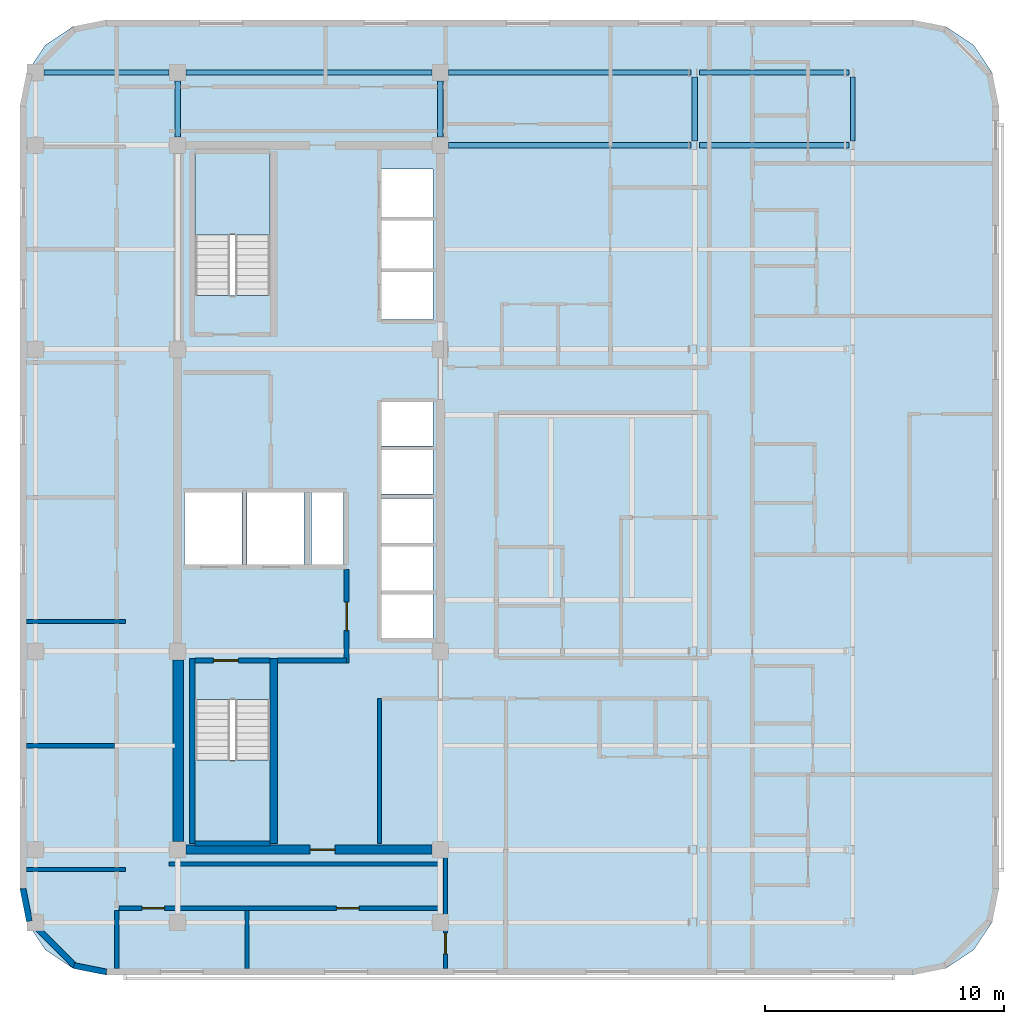
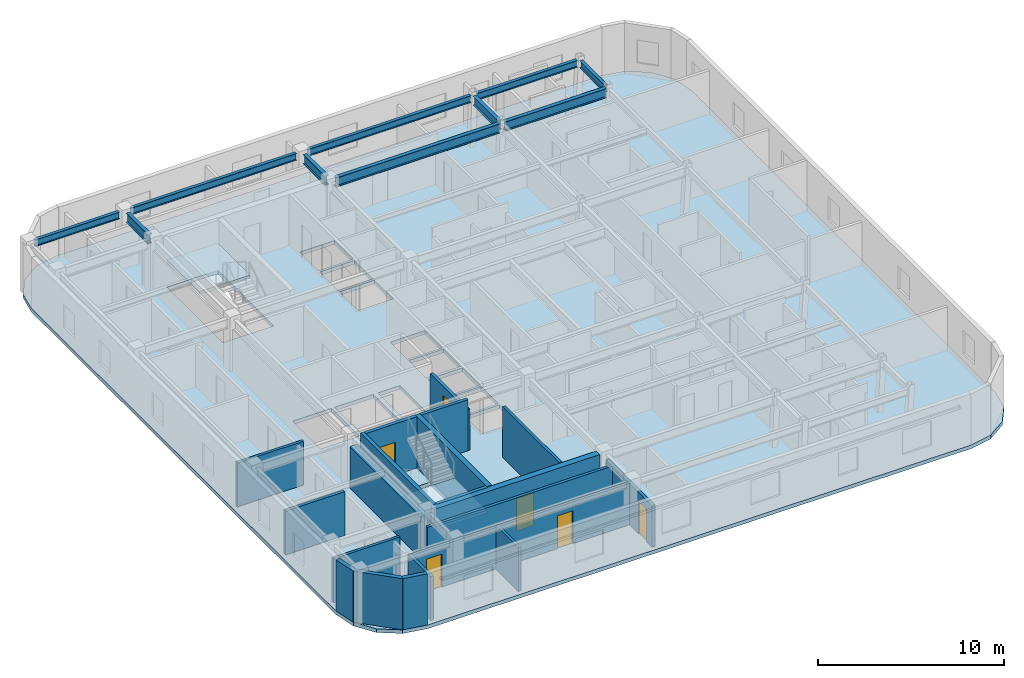
# One storey, part 2 of 10: 20 walls, 10 beams, 6 doors, 3 slabs, 6 openings, 2 elements without a shape of their own.
"""IFC4 building model written with IfcOpenShell, lengths in metres."""

from ifc_helpers import new_model, si_unit, direction, frame, frame_2d, origin, origin_2d, place, context, subcontext, project, spatial, polyline, rectangle, i_section, outline, extrude, material, layer, layer_set, material_profile, profile_set, type_object, element, fill, aggregate, save


model = new_model("IFC4")

# Units and contexts
model_context = context("Model", 3, precision=1e-05, world=origin(), true_north=direction((0.0, 1.0)))
body_context = subcontext(model_context, "Body", "Model", "MODEL_VIEW")
ifc_project = project(units=[si_unit("LENGTHUNIT", "METRE"), si_unit("AREAUNIT", "SQUARE_METRE"), si_unit("VOLUMEUNIT", "CUBIC_METRE"), si_unit("PLANEANGLEUNIT", "RADIAN"), si_unit("MASSUNIT", "GRAM", prefix="KILO")], contexts=[model_context])

# Site, building, storey
site_placement = place(None, origin())
site = spatial("IfcSite", under=ifc_project, at=site_placement, CompositionType="ELEMENT")
building_placement = place(site_placement, origin())
building = spatial("IfcBuilding", under=site, at=building_placement, Name="Ochreholt Gables", CompositionType="ELEMENT")
storey_placement = place(building_placement, frame((0.0, 0.0, 166.199951171875)))
storey = spatial("IfcBuildingStorey", under=building, at=storey_placement, Name="L43", CompositionType="ELEMENT", Elevation=166.199951171875)

# Beams
ifc_material_1 = material(Name="Steel CSA G40.21 350W", Category="steel")
ifc_material_profile_1 = material_profile(ifc_material_1, i_section(OverallWidth=0.22900390625, OverallDepth=0.612060546875, WebThickness=0.011962890625, FlangeThickness=0.01953125, at=origin_2d()), Name="W610X125")
ifc_profile_set_1 = profile_set([ifc_material_profile_1], Name="Steel CSA G40.21 350W")
beam_type_1 = type_object("IfcBeamType", Name="BM-G-W610B", PredefinedType="BEAM", material=ifc_profile_set_1)
beam_1_placement = place(storey_placement, frame((35.549560546875, 38.75, 3.053955078125), z_axis=(1.0, 0.0, 0.0), x_axis=(0.0, 1.0, 0.0)))
element("IfcBeam", 1, at=beam_1_placement, inside=storey, type_object=beam_type_1, Name="L43 Beam TBG-L43-C2EM-Y5", PredefinedType="BEAM", context=body_context, shape_type="SweptSolid", body=[
    extrude(i_section(OverallWidth=0.22900390625, OverallDepth=0.612060546875, WebThickness=0.011962890625, FlangeThickness=0.01953125, at=origin_2d()), origin(), (0.0, 0.0, 1.0), 10.15185546875),
])
beam_2_placement = place(storey_placement, frame((46.056640625, 38.75, 3.053955078125), z_axis=(1.0, 0.0, 0.0), x_axis=(0.0, 1.0, 0.0)))
element("IfcBeam", 2, at=beam_2_placement, inside=storey, type_object=beam_type_1, Name="L43 Beam TBG-L43-EMEE-Y5", PredefinedType="BEAM", context=body_context, shape_type="SweptSolid", body=[
    extrude(i_section(OverallWidth=0.22900390625, OverallDepth=0.612060546875, WebThickness=0.011962890625, FlangeThickness=0.01953125, at=origin_2d()), origin(), (0.0, 0.0, 1.0), 6.27099609375),
])
for number, where, z_axis, x_axis, name in (
    (3, (24.199951171875, 39.099609375, 3.053955078125), (0.0, 1.0, 0.0), (-1.0, 0.0, 0.0), "L43 Beam TBN-L43-C1-Y5Y6"),
    (4, (35.199951171875, 39.099609375, 3.053955078125), (0.0, 1.0, 0.0), (-1.0, 0.0, 0.0), "L43 Beam TBN-L43-C2-Y5Y6"),
):
    element("IfcBeam", number, at=place(storey_placement, frame(where, z_axis=z_axis, x_axis=x_axis)), inside=storey, type_object=beam_type_1, Name=name, PredefinedType="BEAM", context=body_context, shape_type="SweptSolid", body=[
        extrude(i_section(OverallWidth=0.22900390625, OverallDepth=0.612060546875, WebThickness=0.011962890625, FlangeThickness=0.01953125, at=origin_2d()), origin(), (0.0, 0.0, 1.0), 2.350830078125),
    ])
beam_3_placement = place(storey_placement, frame((45.86181640625, 38.927490234375, 3.053955078125), z_axis=(0.0, 1.0, 0.0), x_axis=(-1.0, 0.0, 0.0)))
element("IfcBeam", 5, at=beam_3_placement, inside=storey, type_object=beam_type_1, Name="L43 Beam TBN-L43-EM-Y5Y6", PredefinedType="BEAM", context=body_context, shape_type="SweptSolid", body=[
    extrude(i_section(OverallWidth=0.22900390625, OverallDepth=0.612060546875, WebThickness=0.011962890625, FlangeThickness=0.01953125, at=origin_2d()), origin(), (0.0, 0.0, 1.0), 2.69482421875),
])
ifc_material_profile_2 = material_profile(ifc_material_1, i_section(OverallWidth=0.19189453125, OverallDepth=0.462890625, WebThickness=0.010498046875, FlangeThickness=0.017578125, at=origin_2d()), Name="W460X89")
ifc_profile_set_2 = profile_set([ifc_material_profile_2], Name="Steel CSA G40.21 350W")
beam_type_2 = type_object("IfcBeamType", Name="BM-SP-W460A", PredefinedType="SPANDREL", material=ifc_profile_set_2)
beam_4_placement = place(storey_placement, frame((18.599609375, 41.800048828125, 3.128662109375), z_axis=(1.0, 0.0, 0.0), x_axis=(0.0, 1.0, 0.0)))
element("IfcBeam", 6, at=beam_4_placement, inside=storey, type_object=beam_type_2, Name="L43 Beam TBG-L43-W3C1-Y6", PredefinedType="SPANDREL", context=body_context, shape_type="SweptSolid", body=[
    extrude(i_section(OverallWidth=0.19189453125, OverallDepth=0.462890625, WebThickness=0.010498046875, FlangeThickness=0.017578125, at=origin_2d()), origin(), (0.0, 0.0, 1.0), 5.250732421875),
])
beam_5_placement = place(storey_placement, frame((24.549560546875, 41.800048828125, 3.128662109375), z_axis=(1.0, 0.0, 0.0), x_axis=(0.0, 1.0, 0.0)))
element("IfcBeam", 7, at=beam_5_placement, inside=storey, type_object=beam_type_2, Name="L43 Beam TBG-L43-C1C2-Y6", PredefinedType="SPANDREL", context=body_context, shape_type="SweptSolid", body=[
    extrude(i_section(OverallWidth=0.19189453125, OverallDepth=0.462890625, WebThickness=0.010498046875, FlangeThickness=0.017578125, at=origin_2d()), origin(), (0.0, 0.0, 1.0), 10.30078125),
])
beam_6_placement = place(storey_placement, frame((35.549560546875, 41.800048828125, 3.128662109375), z_axis=(1.0, 0.0, 0.0), x_axis=(0.0, 1.0, 0.0)))
element("IfcBeam", 8, at=beam_6_placement, inside=storey, type_object=beam_type_2, Name="L43 Beam TBG-L43-C2EM-Y6", PredefinedType="SPANDREL", context=body_context, shape_type="SweptSolid", body=[
    extrude(i_section(OverallWidth=0.19189453125, OverallDepth=0.462890625, WebThickness=0.010498046875, FlangeThickness=0.017578125, at=origin_2d()), origin(), (0.0, 0.0, 1.0), 10.15185546875),
])
beam_7_placement = place(storey_placement, frame((46.056640625, 41.800048828125, 3.128662109375), z_axis=(1.0, 0.0, 0.0), x_axis=(0.0, 1.0, 0.0)))
element("IfcBeam", 9, at=beam_7_placement, inside=storey, type_object=beam_type_2, Name="L43 Beam TBG-L43-EMEE-Y6", PredefinedType="SPANDREL", context=body_context, shape_type="SweptSolid", body=[
    extrude(i_section(OverallWidth=0.19189453125, OverallDepth=0.462890625, WebThickness=0.010498046875, FlangeThickness=0.017578125, at=origin_2d()), origin(), (0.0, 0.0, 1.0), 6.27099609375),
])
beam_8_placement = place(storey_placement, frame((52.476806640625, 38.927490234375, 3.128662109375), z_axis=(0.0, 1.0, 0.0), x_axis=(-1.0, 0.0, 0.0)))
element("IfcBeam", 10, at=beam_8_placement, inside=storey, type_object=beam_type_2, Name="L43 Beam TBN-L43-EE-Y5Y6", PredefinedType="SPANDREL", context=body_context, shape_type="SweptSolid", body=[
    extrude(i_section(OverallWidth=0.19189453125, OverallDepth=0.462890625, WebThickness=0.010498046875, FlangeThickness=0.017578125, at=origin_2d()), origin(), (0.0, 0.0, 1.0), 2.69482421875),
])

# Stair, slab
ifc_material_2 = material(Name="Concrete 40 MPa", Category="concrete")
stair_type_1 = type_object("IfcStairType", Name="STAIR-CORE-ST-1", PredefinedType="HALF_TURN_STAIR", material=ifc_material_2)
stair_1_placement = place(storey_placement, origin())
stair_1 = element("IfcStair", 11, at=stair_1_placement, inside=storey, type_object=stair_type_1, Name="L43 Core Exit Stair 1", PredefinedType="HALF_TURN_STAIR")
ifc_layer_1 = layer(ifc_material_2, 0.199951171875, Name="Concrete 40 MPa")
ifc_layer_set_1 = layer_set([ifc_layer_1], Name="Concrete 40 MPa")
slab_type_1 = type_object("IfcSlabType", Name="LANDING-RC200", PredefinedType="LANDING", material=ifc_layer_set_1)
slab_1_placement = place(storey_placement, frame((0.0, 0.0, 1.60009765625)))
slab_1 = element("IfcSlab", 12, at=slab_1_placement, type_object=slab_type_1, Name="ST-1 landing 1", PredefinedType="LANDING", context=body_context, shape_type="SweptSolid", body=[
    extrude(outline(polyline([(24.919921875, 13.001953125), (24.919921875, 9.52001953125), (28.080078125, 9.52001953125), (28.080078125, 13.001953125), (24.919921875, 13.001953125)])), origin(), (0.0, 0.0, 1.0), 0.199951171875),
])
aggregate(stair_1, [slab_1])

stair_type_2 = type_object("IfcStairType", Name="STAIR-CORE-ST-2", PredefinedType="HALF_TURN_STAIR", material=ifc_material_2)
stair_2_placement = place(storey_placement, origin())
stair_2 = element("IfcStair", 13, at=stair_2_placement, inside=storey, type_object=stair_type_2, Name="L43 Core Exit Stair 2", PredefinedType="HALF_TURN_STAIR")
slab_2_placement = place(storey_placement, frame((0.0, 0.0, 1.60009765625)))
slab_2 = element("IfcSlab", 14, at=slab_2_placement, type_object=slab_type_1, Name="ST-2 landing 1", PredefinedType="LANDING", context=body_context, shape_type="SweptSolid", body=[
    extrude(outline(polyline([(28.080078125, 34.998046875), (28.080078125, 38.47998046875), (24.919921875, 38.47998046875), (24.919921875, 34.998046875), (28.080078125, 34.998046875)])), origin(), (0.0, 0.0, 1.0), 0.199951171875),
])
aggregate(stair_2, [slab_2])

# Slab
ifc_layer_2 = layer(ifc_material_2, 0.239990234375, Name="Concrete 40 MPa")
ifc_layer_set_2 = layer_set([ifc_layer_2], Name="Concrete 40 MPa")
slab_type_2 = type_object("IfcSlabType", Name="SLAB-TWR-240", PredefinedType="FLOOR", material=ifc_layer_set_2)
slab_3_placement = place(storey_placement, frame((0.0, 0.0, -0.239990234375)))
element("IfcSlab", 15, at=slab_3_placement, inside=storey, type_object=slab_type_2, Name="L43 Structural Floor Slab", PredefinedType="FLOOR", context=body_context, shape_type="SweptSolid", body=[
    extrude(outline(polyline([(17.60009765625, 7.60009765625), (17.8740234375, 6.222412109375), (18.654296875, 5.054443359375), (19.822265625, 4.27392578125), (21.199951171875, 4.0), (55.0, 4.0), (56.377685546875, 4.27392578125), (57.545654296875, 5.054443359375), (58.325927734375, 6.222412109375), (58.60009765625, 7.60009765625), (58.60009765625, 40.39990234375), (58.325927734375, 41.777587890625), (57.545654296875, 42.945556640625), (56.377685546875, 43.72607421875), (55.0, 44.0), (21.199951171875, 44.0), (19.822265625, 43.72607421875), (18.654296875, 42.945556640625), (17.8740234375, 41.777587890625), (17.60009765625, 40.39990234375), (17.60009765625, 7.60009765625)]), holes=[polyline([(24.919921875, 15.539306640625), (24.919921875, 9.52001953125), (28.080078125, 9.52001953125), (28.080078125, 15.539306640625), (24.919921875, 15.539306640625)]), polyline([(28.080078125, 32.460693359375), (28.080078125, 38.47998046875), (24.919921875, 38.47998046875), (24.919921875, 32.460693359375), (28.080078125, 32.460693359375)]), polyline([(24.5, 21.199951171875), (26.89990234375, 21.199951171875), (26.89990234375, 24.199951171875), (24.5, 24.199951171875), (24.5, 21.199951171875)]), polyline([(27.10009765625, 21.199951171875), (29.5, 21.199951171875), (29.5, 24.199951171875), (27.10009765625, 24.199951171875), (27.10009765625, 21.199951171875)]), polyline([(32.75, 18.10009765625), (34.89990234375, 18.10009765625), (34.89990234375, 19.949951171875), (32.75, 19.949951171875), (32.75, 18.10009765625)]), polyline([(32.75, 20.10009765625), (34.89990234375, 20.10009765625), (34.89990234375, 21.949951171875), (32.75, 21.949951171875), (32.75, 20.10009765625)]), polyline([(32.75, 22.10009765625), (34.89990234375, 22.10009765625), (34.89990234375, 23.949951171875), (32.75, 23.949951171875), (32.75, 22.10009765625)]), polyline([(32.75, 24.14990234375), (34.89990234375, 24.14990234375), (34.89990234375, 26.0), (32.75, 26.0), (32.75, 24.14990234375)]), polyline([(32.75, 26.14990234375), (34.89990234375, 26.14990234375), (34.89990234375, 28.0), (32.75, 28.0), (32.75, 26.14990234375)]), polyline([(32.75, 31.449951171875), (34.89990234375, 31.449951171875), (34.89990234375, 33.449951171875), (32.75, 33.449951171875), (32.75, 31.449951171875)]), polyline([(32.75, 33.60009765625), (34.89990234375, 33.60009765625), (34.89990234375, 35.60009765625), (32.75, 35.60009765625), (32.75, 33.60009765625)]), polyline([(32.75, 35.75), (34.89990234375, 35.75), (34.89990234375, 37.75), (32.75, 37.75), (32.75, 35.75)]), polyline([(29.800048828125, 21.199951171875), (31.14990234375, 21.199951171875), (31.14990234375, 24.199951171875), (29.800048828125, 24.199951171875), (29.800048828125, 21.199951171875)])]), origin(), (0.0, 0.0, 1.0), 0.239990234375),
])

# Wall, opening, door
ifc_material_3 = material(Name="Concrete 50 MPa", Category="concrete")
ifc_layer_3 = layer(ifc_material_3, 0.3798828125, Name="Concrete 50 MPa")
ifc_layer_set_3 = layer_set([ifc_layer_3], Name="Concrete 50 MPa")
wall_type_1 = type_object("IfcWallType", Name="WALL-CSW-380", PredefinedType="SHEAR", material=ifc_layer_set_3)
wall_1_placement = place(storey_placement, frame((24.550048828125, 9.25, 0.0), z_axis=(0.0, 0.0, 1.0), x_axis=(1.0, 0.0, 0.0)))
wall_1 = element("IfcWall", 16, at=wall_1_placement, inside=storey, type_object=wall_type_1, Name="L43 Core South Shear Wall", PredefinedType="SHEAR", context=body_context, shape_type="SweptSolid", body=[
    extrude(rectangle(XDim=10.300048828125, YDim=0.3798828125, at=frame_2d((5.14990234375, 0.0))), origin(), (0.0, 0.0, 1.0), 3.360107421875),
])
opening_1_placement = place(wall_1_placement, frame((5.199951171875, 0.0, 0.0)))
opening_1 = element("IfcOpeningElement", 17, at=opening_1_placement, cuts=wall_1, Name="Opening D-FLB", PredefinedType="OPENING", context=body_context, shape_type="SweptSolid", body=[
    extrude(rectangle(XDim=1.050048828125, YDim=2.14990234375, at=frame_2d((0.52490234375, 1.074951171875))), frame((0.0, 0.199951171875, 0.0), z_axis=(0.0, -1.0, 0.0), x_axis=(1.0, 0.0, 0.0)), (0.0, 0.0, 1.0), 0.39990234375),
])
ifc_material_4 = material(Name="Hollow Metal Steel", Category="steel")
door_type_1 = type_object("IfcDoorType", Name="DR-INT-FLB1050", OperationType="NOTDEFINED", PredefinedType="DOOR", material=ifc_material_4)
door_1_placement = place(opening_1_placement, origin())
door_1 = element("IfcDoor", 18, at=door_1_placement, inside=storey, type_object=door_type_1, Name="L43 Door D-C2CRS-L43", OperationType="SINGLE_SWING_LEFT", OverallHeight=2.14990234375, OverallWidth=1.050048828125, PredefinedType="DOOR", context=body_context, shape_type="SweptSolid", body=[
    extrude(rectangle(XDim=1.050048828125, YDim=2.14990234375, at=frame_2d((0.52490234375, 1.074951171875))), frame((0.0, 0.02490234375, 0.0), z_axis=(0.0, -1.0, 0.0), x_axis=(1.0, 0.0, 0.0)), (0.0, 0.0, 1.0), 0.050048828125),
])
fill(opening_1, door_1)

# Walls
ifc_material_5 = material(Name="Concrete 60 MPa", Category="concrete")
ifc_layer_4 = layer(ifc_material_5, 0.449951171875, Name="Concrete 60 MPa")
ifc_layer_set_4 = layer_set([ifc_layer_4], Name="Concrete 60 MPa")
wall_type_2 = type_object("IfcWallType", Name="WALL-CSW-450", PredefinedType="SHEAR", material=ifc_layer_set_4)
wall_2_placement = place(storey_placement, frame((24.22509765625, 9.60009765625, 0.0), z_axis=(0.0, 0.0, 1.0), x_axis=(0.0, 1.0, 0.0)))
element("IfcWall", 19, at=wall_2_placement, inside=storey, type_object=wall_type_2, Name="L43 Core West Shear Wall WS", PredefinedType="SHEAR", context=body_context, shape_type="SweptSolid", body=[
    extrude(rectangle(XDim=7.599853515625, YDim=0.449951171875, at=frame_2d((3.7998046875, 0.0))), origin(), (0.0, 0.0, 1.0), 2.748046875),
])
ifc_material_6 = material(Name="Precast concrete 40 MPa", Category="concrete")
ifc_layer_5 = layer(ifc_material_6, 0.25, Name="Precast concrete 40 MPa")
ifc_layer_set_5 = layer_set([ifc_layer_5], Name="Precast concrete 40 MPa")
wall_type_3 = type_object("IfcWallType", Name="WALL-EXT-CNR", PredefinedType="SOLIDWALL", material=ifc_layer_set_5)
wall_3_placement = place(storey_placement, frame((17.72412109375, 7.616455078125, 0.0), z_axis=(0.0, 0.0, 1.0), x_axis=(0.195135625965, -0.9807762678, 0.0)))
element("IfcWall", 20, at=wall_3_placement, inside=storey, type_object=wall_type_3, Name="L43 Rounded Corner Wall SW-1", PredefinedType="SOLIDWALL", context=body_context, shape_type="SweptSolid", body=[
    extrude(rectangle(XDim=1.388671875, YDim=0.25, at=frame_2d((0.6943359375, 0.0))), origin(), (0.0, 0.0, 1.0), 3.360107421875),
])
wall_4_placement = place(storey_placement, frame((17.968017578125, 6.304931640625, 0.0), z_axis=(0.0, 0.0, 1.0), x_axis=(0.707106781187, -0.707106781187, 0.0)))
element("IfcWall", 21, at=wall_4_placement, inside=storey, type_object=wall_type_3, Name="L43 Rounded Corner Wall SW-2", PredefinedType="SOLIDWALL", context=body_context, shape_type="SweptSolid", body=[
    extrude(rectangle(XDim=2.7392578125, YDim=0.25, at=frame_2d((1.36962890625, 0.0))), origin(), (0.0, 0.0, 1.0), 3.360107421875),
])
wall_5_placement = place(storey_placement, frame((19.8544921875, 4.39501953125, 0.0), z_axis=(0.0, 0.0, 1.0), x_axis=(0.980809899341, -0.19496651342, 0.0)))
element("IfcWall", 22, at=wall_5_placement, inside=storey, type_object=wall_type_3, Name="L43 Rounded Corner Wall SW-3", PredefinedType="SOLIDWALL", context=body_context, shape_type="SweptSolid", body=[
    extrude(rectangle(XDim=1.388671875, YDim=0.25, at=frame_2d((0.6943359375, 0.0))), origin(), (0.0, 0.0, 1.0), 3.360107421875),
])
ifc_layer_6 = layer(ifc_material_2, 0.199951171875, Name="Concrete 40 MPa")
ifc_layer_set_6 = layer_set([ifc_layer_6], Name="Concrete 40 MPa")
wall_type_4 = type_object("IfcWallType", Name="WALL-INT-CF200", PredefinedType="STANDARD", material=ifc_layer_set_6)
wall_6_placement = place(storey_placement, frame((28.3798828125, 17.169921875, 0.0), z_axis=(0.0, 0.0, 1.0), x_axis=(1.0, 0.0, 0.0)))
element("IfcWall", 23, at=wall_6_placement, inside=storey, type_object=wall_type_4, Name="L43 Interior Wall WI-FFS-L43", PredefinedType="STANDARD", context=body_context, shape_type="SweptSolid", body=[
    extrude(rectangle(XDim=2.900146484375, YDim=0.199951171875, at=frame_2d((1.4501953125, 0.0))), origin(), (0.0, 0.0, 1.0), 3.360107421875),
])

# Wall, opening, door
wall_7_placement = place(storey_placement, frame((31.280029296875, 17.070068359375, 0.0), z_axis=(0.0, 0.0, 1.0), x_axis=(0.0, 1.0, 0.0)))
wall_7 = element("IfcWall", 24, at=wall_7_placement, inside=storey, type_object=wall_type_4, Name="L43 Interior Wall WI-FFE-L43", PredefinedType="STANDARD", context=body_context, shape_type="SweptSolid", body=[
    extrude(rectangle(XDim=3.919921875, YDim=0.199951171875, at=frame_2d((1.9599609375, 0.0))), origin(), (0.0, 0.0, 1.0), 2.72998046875),
])
opening_2_placement = place(wall_7_placement, frame((1.35009765625, 0.0, 0.0)))
opening_2 = element("IfcOpeningElement", 25, at=opening_2_placement, cuts=wall_7, Name="Opening D-FFL", PredefinedType="OPENING", context=body_context, shape_type="SweptSolid", body=[
    extrude(rectangle(XDim=1.199951171875, YDim=2.14990234375, at=frame_2d((0.60009765625, 1.074951171875))), frame((0.0, 0.10986328125, 0.0), z_axis=(0.0, -1.0, 0.0), x_axis=(1.0, 0.0, 0.0)), (0.0, 0.0, 1.0), 0.219970703125),
])
door_type_2 = type_object("IfcDoorType", Name="DR-INT-FFL1200", OperationType="NOTDEFINED", PredefinedType="DOOR", material=ifc_material_4)
door_2_placement = place(opening_2_placement, origin())
door_2 = element("IfcDoor", 26, at=door_2_placement, inside=storey, type_object=door_type_2, Name="L43 Door D-FFL-L43", OperationType="SINGLE_SWING_LEFT", OverallHeight=2.14990234375, OverallWidth=1.199951171875, PredefinedType="DOOR", context=body_context, shape_type="SweptSolid", body=[
    extrude(rectangle(XDim=1.199951171875, YDim=2.14990234375, at=frame_2d((0.60009765625, 1.074951171875))), frame((0.0, 0.02490234375, 0.0), z_axis=(0.0, -1.0, 0.0), x_axis=(1.0, 0.0, 0.0)), (0.0, 0.0, 1.0), 0.050048828125),
])
fill(opening_2, door_2)

# Wall, openings, doors
ifc_material_7 = material(Name="Fire-Rated Gypsum Acoustic Partition", Category="gypsum")
ifc_layer_7 = layer(ifc_material_7, 0.179931640625, Name="Fire-Rated Gypsum Acoustic Partition")
ifc_layer_set_7 = layer_set([ifc_layer_7], Name="Fire-Rated Gypsum Acoustic Partition")
wall_type_5 = type_object("IfcWallType", Name="WALL-INT-CR180", PredefinedType="STANDARD", material=ifc_layer_set_7)
wall_8_placement = place(storey_placement, frame((21.739990234375, 6.800048828125, 0.0), z_axis=(0.0, 0.0, 1.0), x_axis=(1.0, 0.0, 0.0)))
wall_8 = element("IfcWall", 27, at=wall_8_placement, inside=storey, type_object=wall_type_5, Name="L43 Interior Wall WI-C2WCS-L43", PredefinedType="STANDARD", context=body_context, shape_type="SweptSolid", body=[
    extrude(rectangle(XDim=13.679931640625, YDim=0.179931640625, at=frame_2d((6.83984375, 0.0))), origin(), (0.0, 0.0, 1.0), 2.72998046875),
])
opening_3_placement = place(wall_8_placement, frame((0.969970703125, 0.0, 0.0)))
opening_3 = element("IfcOpeningElement", 28, at=opening_3_placement, cuts=wall_8, Name="Opening D-GN1", PredefinedType="OPENING", context=body_context, shape_type="SweptSolid", body=[
    extrude(rectangle(XDim=0.949951171875, YDim=2.14990234375, at=frame_2d((0.47509765625, 1.074951171875))), frame((0.0, 0.099853515625, 0.0), z_axis=(0.0, -1.0, 0.0), x_axis=(1.0, 0.0, 0.0)), (0.0, 0.0, 1.0), 0.199951171875),
])
opening_4_placement = place(wall_8_placement, frame((9.110107421875, 0.0, 0.0)))
opening_4 = element("IfcOpeningElement", 29, at=opening_4_placement, cuts=wall_8, Name="Opening D-GN1", PredefinedType="OPENING", context=body_context, shape_type="SweptSolid", body=[
    extrude(rectangle(XDim=0.949951171875, YDim=2.14990234375, at=frame_2d((0.47509765625, 1.074951171875))), frame((0.0, 0.099853515625, 0.0), z_axis=(0.0, -1.0, 0.0), x_axis=(1.0, 0.0, 0.0)), (0.0, 0.0, 1.0), 0.199951171875),
])
ifc_material_8 = material(Name="Engineered Oak Timber", Category="wood")
door_type_3 = type_object("IfcDoorType", Name="DR-INT-GEN950", OperationType="NOTDEFINED", PredefinedType="DOOR", material=ifc_material_8)
door_3_placement = place(opening_3_placement, origin())
door_3 = element("IfcDoor", 30, at=door_3_placement, inside=storey, type_object=door_type_3, Name="L43 Door D-C2STL1-L43", OperationType="SINGLE_SWING_LEFT", OverallHeight=2.14990234375, OverallWidth=0.949951171875, PredefinedType="DOOR", context=body_context, shape_type="SweptSolid", body=[
    extrude(rectangle(XDim=0.949951171875, YDim=2.14990234375, at=frame_2d((0.47509765625, 1.074951171875))), frame((0.0, 0.02490234375, 0.0), z_axis=(0.0, -1.0, 0.0), x_axis=(1.0, 0.0, 0.0)), (0.0, 0.0, 1.0), 0.050048828125),
])
fill(opening_3, door_3)
door_4_placement = place(opening_4_placement, origin())
door_4 = element("IfcDoor", 31, at=door_4_placement, inside=storey, type_object=door_type_3, Name="L43 Door D-C2STL2-L43", OperationType="SINGLE_SWING_RIGHT", OverallHeight=2.14990234375, OverallWidth=0.949951171875, PredefinedType="DOOR", context=body_context, shape_type="SweptSolid", body=[
    extrude(rectangle(XDim=0.949951171875, YDim=2.14990234375, at=frame_2d((0.47509765625, 1.074951171875))), frame((0.0, 0.02490234375, 0.0), z_axis=(0.0, -1.0, 0.0), x_axis=(1.0, 0.0, 0.0)), (0.0, 0.0, 1.0), 0.050048828125),
])
fill(opening_4, door_4)

# Walls
wall_9_placement = place(storey_placement, frame((23.85009765625, 8.64990234375, 0.0), z_axis=(0.0, 0.0, 1.0), x_axis=(1.0, 0.0, 0.0)))
element("IfcWall", 32, at=wall_9_placement, inside=storey, type_object=wall_type_5, Name="L43 Interior Wall WI-C2WCS2-L43", PredefinedType="STANDARD", context=body_context, shape_type="SweptSolid", body=[
    extrude(rectangle(XDim=11.56982421875, YDim=0.179931640625, at=frame_2d((5.784912109375, 0.0))), origin(), (0.0, 0.0, 1.0), 2.72998046875),
])
ifc_material_9 = material(Name="Double-Stud Acoustic Demising Wall", Category="gypsum")
ifc_layer_8 = layer(ifc_material_9, 0.179931640625, Name="Double-Stud Acoustic Demising Wall")
ifc_layer_set_8 = layer_set([ifc_layer_8], Name="Double-Stud Acoustic Demising Wall")
wall_type_6 = type_object("IfcWallType", Name="WALL-INT-DM180", PredefinedType="PARTITIONING", material=ifc_layer_set_8)
wall_10_placement = place(storey_placement, frame((21.64990234375, 4.280029296875, 0.0), z_axis=(0.0, 0.0, 1.0), x_axis=(0.0, 1.0, 0.0)))
element("IfcWall", 33, at=wall_10_placement, inside=storey, type_object=wall_type_6, Name="L43 Interior Wall WI-C2WWS-L43", PredefinedType="PARTITIONING", context=body_context, shape_type="SweptSolid", body=[
    extrude(rectangle(XDim=2.429931640625, YDim=0.179931640625, at=frame_2d((1.21484375, 0.0))), origin(), (0.0, 0.0, 1.0), 2.879150390625),
])

# Wall, opening, door
wall_11_placement = place(storey_placement, frame((35.419921875, 4.280029296875, 0.0), z_axis=(0.0, 0.0, 1.0), x_axis=(0.0, 1.0, 0.0)))
wall_11 = element("IfcWall", 34, at=wall_11_placement, inside=storey, type_object=wall_type_6, Name="L43 Interior Wall WI-C2SES-L43", PredefinedType="PARTITIONING", context=body_context, shape_type="SweptSolid", body=[
    extrude(rectangle(XDim=4.969970703125, YDim=0.179931640625, at=frame_2d((2.48486328125, 0.0))), origin(), (0.0, 0.0, 1.0), 2.72998046875),
])
opening_5_placement = place(wall_11_placement, frame((0.590087890625, 0.0, 0.0)))
opening_5 = element("IfcOpeningElement", 35, at=opening_5_placement, cuts=wall_11, Name="Opening D-GN2", PredefinedType="OPENING", context=body_context, shape_type="SweptSolid", body=[
    extrude(rectangle(XDim=0.8798828125, YDim=2.1201171875, at=frame_2d((0.43994140625, 1.06005859375))), frame((0.0, 0.099853515625, 0.0), z_axis=(0.0, -1.0, 0.0), x_axis=(1.0, 0.0, 0.0)), (0.0, 0.0, 1.0), 0.199951171875),
])
door_type_4 = type_object("IfcDoorType", Name="DR-INT-GEN880", OperationType="NOTDEFINED", PredefinedType="DOOR", material=ifc_material_8)
door_5_placement = place(opening_5_placement, origin())
door_5 = element("IfcDoor", 36, at=door_5_placement, inside=storey, type_object=door_type_4, Name="L43 Door D-C2SPS-L43", OperationType="SINGLE_SWING_LEFT", OverallHeight=2.1201171875, OverallWidth=0.8798828125, PredefinedType="DOOR", context=body_context, shape_type="SweptSolid", body=[
    extrude(rectangle(XDim=0.8798828125, YDim=2.1201171875, at=frame_2d((0.43994140625, 1.06005859375))), frame((0.0, 0.02490234375, 0.0), z_axis=(0.0, -1.0, 0.0), x_axis=(1.0, 0.0, 0.0)), (0.0, 0.0, 1.0), 0.050048828125),
])
fill(opening_5, door_5)

# Walls
wall_12_placement = place(storey_placement, frame((17.8798828125, 13.60009765625, 0.0), z_axis=(0.0, 0.0, 1.0), x_axis=(1.0, 0.0, 0.0)))
element("IfcWall", 37, at=wall_12_placement, inside=storey, type_object=wall_type_6, Name="L43 Interior Wall WI-C2UDW2-L43", PredefinedType="PARTITIONING", context=body_context, shape_type="SweptSolid", body=[
    extrude(rectangle(XDim=3.68017578125, YDim=0.179931640625, at=frame_2d((1.840087890625, 0.0))), origin(), (0.0, 0.0, 1.0), 2.879150390625),
])
ifc_material_10 = material(Name="Gypsum Acoustic Stud Partition", Category="gypsum")
ifc_layer_9 = layer(ifc_material_10, 0.1650390625, Name="Gypsum Acoustic Stud Partition")
ifc_layer_set_9 = layer_set([ifc_layer_9], Name="Gypsum Acoustic Stud Partition")
wall_type_7 = type_object("IfcWallType", Name="WALL-INT-PT165", PredefinedType="PARTITIONING", material=ifc_layer_set_9)
wall_13_placement = place(storey_placement, frame((32.64990234375, 9.5, 0.0), z_axis=(0.0, 0.0, 1.0), x_axis=(0.0, 1.0, 0.0)))
element("IfcWall", 38, at=wall_13_placement, inside=storey, type_object=wall_type_7, Name="L43 Interior Wall WI-RCL-W-L43", PredefinedType="PARTITIONING", context=body_context, shape_type="SweptSolid", body=[
    extrude(rectangle(XDim=6.080078125, YDim=0.1650390625, at=frame_2d((3.0400390625, 0.0))), origin(), (0.0, 0.0, 1.0), 3.360107421875),
])
for number, where, z_axis, x_axis, name in (
    (39, (17.8798828125, 8.425048828125, 0.0), (0.0, 0.0, 1.0), (1.0, 0.0, 0.0), "L43 Interior Wall WU-L43W1-SDV"),
    (40, (17.8798828125, 18.800048828125, 0.0), (0.0, 0.0, 1.0), (1.0, 0.0, 0.0), "L43 Interior Wall WU-L43W2-SDV"),
):
    element("IfcWall", number, at=place(storey_placement, frame(where, z_axis=z_axis, x_axis=x_axis)), inside=storey, type_object=wall_type_7, Name=name, PredefinedType="PARTITIONING", context=body_context, shape_type="SweptSolid", body=[
        extrude(rectangle(XDim=4.130126953125, YDim=0.1650390625, at=frame_2d((2.06494140625, 0.0))), origin(), (0.0, 0.0, 1.0), 2.879150390625),
    ])
wall_14_placement = place(storey_placement, frame((27.10009765625, 4.280029296875, 0.0), z_axis=(0.0, 0.0, 1.0), x_axis=(0.0, 1.0, 0.0)))
element("IfcWall", 41, at=wall_14_placement, inside=storey, type_object=wall_type_7, Name="L43 Interior Wall WI-C2PKS-L43", PredefinedType="PARTITIONING", context=body_context, shape_type="SweptSolid", body=[
    extrude(rectangle(XDim=2.429931640625, YDim=0.1650390625, at=frame_2d((1.21484375, 0.0))), origin(), (0.0, 0.0, 1.0), 2.879150390625),
])
ifc_layer_10 = layer(ifc_material_5, 0.300048828125, Name="Concrete 60 MPa")
ifc_layer_set_10 = layer_set([ifc_layer_10], Name="Concrete 60 MPa")
wall_type_8 = type_object("IfcWallType", Name="WALL-SPN-300", PredefinedType="SHEAR", material=ifc_layer_set_10)
wall_15_placement = place(storey_placement, frame((28.22998046875, 9.5, 0.0), z_axis=(0.0, 0.0, 1.0), x_axis=(0.0, 1.0, 0.0)))
element("IfcWall", 42, at=wall_15_placement, inside=storey, type_object=wall_type_8, Name="L43 Core South Spine Shear Wall", PredefinedType="SHEAR", context=body_context, shape_type="SweptSolid", body=[
    extrude(rectangle(XDim=7.760009765625, YDim=0.300048828125, at=frame_2d((3.8798828125, 0.0))), origin(), (0.0, 0.0, 1.0), 3.360107421875),
])
ifc_layer_11 = layer(ifc_material_3, 0.219970703125, Name="Concrete 50 MPa")
ifc_layer_set_11 = layer_set([ifc_layer_11], Name="Concrete 50 MPa")
wall_type_9 = type_object("IfcWallType", Name="WALL-STW-220", PredefinedType="SHEAR", material=ifc_layer_set_11)
wall_16_placement = place(storey_placement, frame((24.81005859375, 9.5, 0.0), z_axis=(0.0, 0.0, 1.0), x_axis=(0.0, 1.0, 0.0)))
element("IfcWall", 43, at=wall_16_placement, inside=storey, type_object=wall_type_9, Name="L43 Exit Stair 1 West Wall", PredefinedType="SHEAR", context=body_context, shape_type="SweptSolid", body=[
    extrude(rectangle(XDim=7.760009765625, YDim=0.219970703125, at=frame_2d((3.8798828125, 0.0))), origin(), (0.0, 0.0, 1.0), 3.360107421875),
])
wall_17_placement = place(storey_placement, frame((24.919921875, 9.510009765625, 0.0), z_axis=(0.0, 0.0, 1.0), x_axis=(1.0, 0.0, 0.0)))
element("IfcWall", 44, at=wall_17_placement, inside=storey, type_object=wall_type_9, Name="L43 Exit Stair 1 South Wall", PredefinedType="SHEAR", context=body_context, shape_type="SweptSolid", body=[
    extrude(rectangle(XDim=3.16015625, YDim=0.219970703125, at=frame_2d((1.580078125, 0.0))), origin(), (0.0, 0.0, 1.0), 3.360107421875),
])

# Wall, opening, door
wall_18_placement = place(storey_placement, frame((24.919921875, 17.169921875, 0.0), z_axis=(0.0, 0.0, 1.0), x_axis=(1.0, 0.0, 0.0)))
wall_18 = element("IfcWall", 45, at=wall_18_placement, inside=storey, type_object=wall_type_9, Name="L43 Exit Stair 1 North Wall", PredefinedType="SHEAR", context=body_context, shape_type="SweptSolid", body=[
    extrude(rectangle(XDim=3.16015625, YDim=0.219970703125, at=frame_2d((1.580078125, 0.0))), origin(), (0.0, 0.0, 1.0), 3.360107421875),
])
opening_6_placement = place(wall_18_placement, frame((0.780029296875, 0.0, 0.0)))
opening_6 = element("IfcOpeningElement", 46, at=opening_6_placement, cuts=wall_18, Name="Opening D-STC", PredefinedType="OPENING", context=body_context, shape_type="SweptSolid", body=[
    extrude(rectangle(XDim=1.050048828125, YDim=2.14990234375, at=frame_2d((0.52490234375, 1.074951171875))), frame((0.0, 0.119873046875, 0.0), z_axis=(0.0, -1.0, 0.0), x_axis=(1.0, 0.0, 0.0)), (0.0, 0.0, 1.0), 0.239990234375),
])
door_type_5 = type_object("IfcDoorType", Name="DR-INT-ST1050", OperationType="NOTDEFINED", PredefinedType="DOOR", material=ifc_material_4)
door_6_placement = place(opening_6_placement, frame((1.050048828125, 0.0, 0.0), z_axis=(0.0, 0.0, 1.0), x_axis=(-1.0, 0.0, 0.0)))
door_6 = element("IfcDoor", 47, at=door_6_placement, inside=storey, type_object=door_type_5, Name="L43 Door D-ST1-L43", OperationType="SINGLE_SWING_LEFT", OverallHeight=2.14990234375, OverallWidth=1.050048828125, PredefinedType="DOOR", context=body_context, shape_type="SweptSolid", body=[
    extrude(rectangle(XDim=1.050048828125, YDim=2.14990234375, at=frame_2d((0.52490234375, 1.074951171875))), frame((0.0, 0.02490234375, 0.0), z_axis=(0.0, -1.0, 0.0), x_axis=(1.0, 0.0, 0.0)), (0.0, 0.0, 1.0), 0.050048828125),
])
fill(opening_6, door_6)

save(model, "model.ifc")
